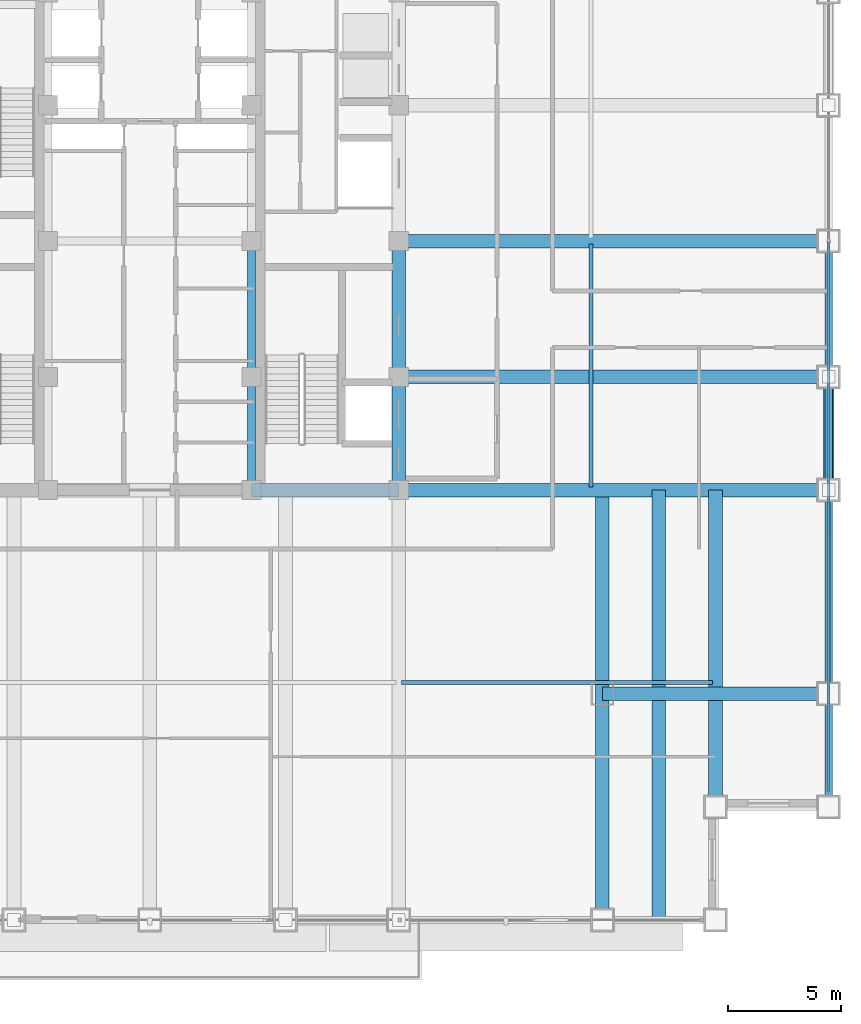
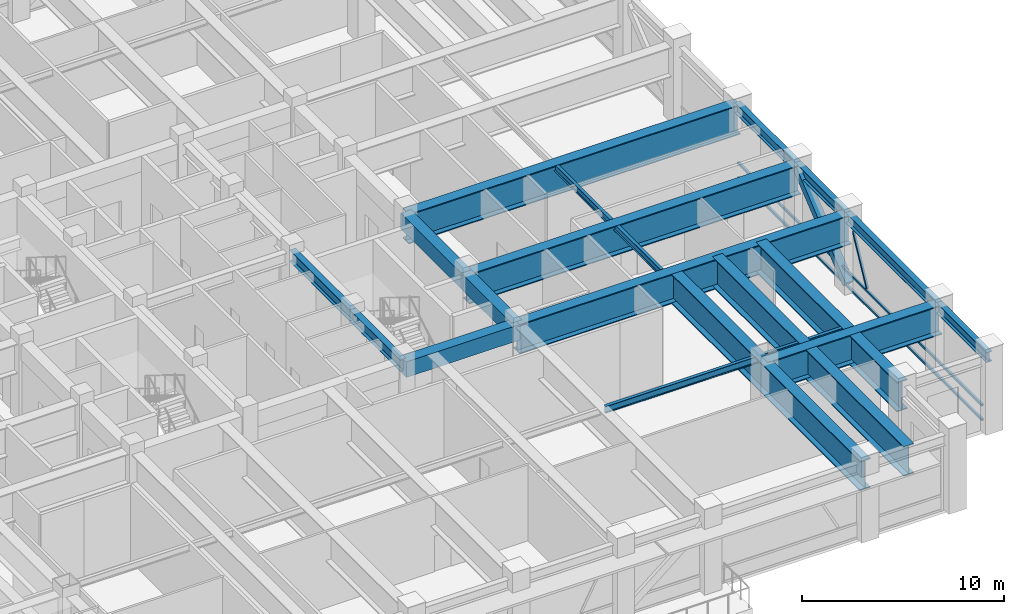
# One storey, part 11 of 33: 18 beams, 5 members, 1 element without a shape of its own.
"""IFC4 building model written with IfcOpenShell, lengths in metres."""

from ifc_helpers import new_model, si_unit, direction, frame, origin, origin_2d, place, context, subcontext, project, spatial, rectangle, hollow_rectangle, i_section, extrude, source, transform, mapped, material, material_profile, profile_set, type_object, element, aggregate, save


model = new_model("IFC4")

# Units and contexts
model_context = context("Model", 3, precision=1e-05, world=origin(), true_north=direction((0.0, 1.0)))
body_context = subcontext(model_context, "Body", "Model", "MODEL_VIEW")
ifc_project = project(units=[si_unit("LENGTHUNIT", "METRE"), si_unit("AREAUNIT", "SQUARE_METRE"), si_unit("VOLUMEUNIT", "CUBIC_METRE"), si_unit("PLANEANGLEUNIT", "RADIAN"), si_unit("MASSUNIT", "GRAM", prefix="KILO")], contexts=[model_context])

# Site, building, storey
site_placement = place(None, origin())
site = spatial("IfcSite", under=ifc_project, at=site_placement, CompositionType="ELEMENT")
building_placement = place(site_placement, origin())
building = spatial("IfcBuilding", under=site, at=building_placement, Name="Khorayat Bourse Tower", CompositionType="ELEMENT")
storey_placement = place(building_placement, frame((0.0, 0.0, 263.10009765625)))
storey = spatial("IfcBuildingStorey", under=building, at=storey_placement, Name="L62", CompositionType="ELEMENT", Elevation=263.10009765625)

# Beams
ifc_material_1 = material(Name="Steel ASTM A992 Grade 50", Category="steel")
ifc_material_profile_1 = material_profile(ifc_material_1, i_section(OverallWidth=0.35498046875, OverallDepth=0.695068359375, WebThickness=0.015380859375, FlangeThickness=0.02490234375, FilletRadius=0.01806640625, at=origin_2d()), Name="W690X217")
ifc_profile_set_1 = profile_set([ifc_material_profile_1], Name="Steel ASTM A992 Grade 50")
beam_type_1 = type_object("IfcBeamType", Name="BM-GIRD-690", PredefinedType="BEAM", material=ifc_profile_set_1)
shared_shape_1 = source(origin(), body_context, "Body", "SweptSolid", [
    extrude(i_section(OverallWidth=0.35498046875, OverallDepth=0.695068359375, WebThickness=0.015380859375, FlangeThickness=0.02490234375, FilletRadius=0.01806640625, at=origin_2d()), origin(), (0.0, 0.0, 1.0), 5.0),
])
beam_1_placement = place(storey_placement, frame((4.5, -11.0, 4.25244140625), z_axis=(0.0, 1.0, 0.0), x_axis=(-1.0, 0.0, 0.0)))
element("IfcBeam", 1, at=beam_1_placement, inside=storey, type_object=beam_type_1, Name="L62 BM-GIRD-690 BM-L62-CRX-09", PredefinedType="BEAM", context=body_context, shape_type="MappedRepresentation", body=[
    mapped(shared_shape_1, transform((0.0, 0.0, 0.0), scale=1.0)),
])
shared_shape_2 = source(origin(), body_context, "Body", "SweptSolid", [
    extrude(i_section(OverallWidth=0.35498046875, OverallDepth=0.695068359375, WebThickness=0.015380859375, FlangeThickness=0.02490234375, FilletRadius=0.01806640625, at=origin_2d()), origin(), (0.0, 0.0, 1.0), 6.0),
])
beam_2_placement = place(storey_placement, frame((4.5, -6.0, 4.25244140625), z_axis=(0.0, 1.0, 0.0), x_axis=(-1.0, 0.0, 0.0)))
element("IfcBeam", 2, at=beam_2_placement, inside=storey, type_object=beam_type_1, Name="L62 BM-GIRD-690 BM-L62-CRX-10", PredefinedType="BEAM", context=body_context, shape_type="MappedRepresentation", body=[
    mapped(shared_shape_2, transform((0.0, 0.0, 0.0), scale=1.0)),
])
ifc_material_2 = material(Name="Steel EN 10025-4 S460M", Category="steel")
ifc_material_profile_2 = material_profile(ifc_material_2, i_section(OverallWidth=0.60009765625, OverallDepth=1.800048828125, WebThickness=0.031982421875, FlangeThickness=0.06005859375, at=origin_2d()), Name="PG 1800x600x32x60")
ifc_profile_set_2 = profile_set([ifc_material_profile_2], Name="Steel EN 10025-4 S460M")
beam_type_2 = type_object("IfcBeamType", Name="BM-TR-1800", PredefinedType="BEAM", material=ifc_profile_set_2)
shared_shape_3 = source(origin(), body_context, "Body", "SweptSolid", [
    extrude(i_section(OverallWidth=0.60009765625, OverallDepth=1.800048828125, WebThickness=0.031982421875, FlangeThickness=0.06005859375, at=origin_2d()), origin(), (0.0, 0.0, 1.0), 14.0),
])
beam_3_placement = place(storey_placement, frame((25.0, -25.0, 3.699951171875), z_axis=(0.0, 1.0, 0.0), x_axis=(-1.0, 0.0, 0.0)))
element("IfcBeam", 3, at=beam_3_placement, inside=storey, type_object=beam_type_2, Name="L62 BM-TR-1800 BM-L62-CNRY-094", PredefinedType="BEAM", context=body_context, shape_type="MappedRepresentation", body=[
    mapped(shared_shape_3, transform((0.0, 0.0, 0.0), scale=1.0)),
])
shared_shape_4 = source(origin(), body_context, "Body", "SweptSolid", [
    extrude(i_section(OverallWidth=0.60009765625, OverallDepth=1.800048828125, WebThickness=0.031982421875, FlangeThickness=0.06005859375, at=origin_2d()), origin(), (0.0, 0.0, 1.0), 10.0),
])
beam_4_placement = place(storey_placement, frame((20.0, -20.0, 3.699951171875), z_axis=(1.0, 0.0, 0.0), x_axis=(0.0, 1.0, 0.0)))
element("IfcBeam", 4, at=beam_4_placement, inside=storey, type_object=beam_type_2, Name="L62 BM-TR-1800 BM-L62-CNRX-096", PredefinedType="BEAM", context=body_context, shape_type="MappedRepresentation", body=[
    mapped(shared_shape_4, transform((0.0, 0.0, 0.0), scale=1.0)),
])
ifc_material_profile_3 = material_profile(ifc_material_1, i_section(OverallWidth=0.180908203125, OverallDepth=0.4169921875, WebThickness=0.010986328125, FlangeThickness=0.018310546875, FilletRadius=0.011962890625, at=origin_2d()), Name="W410X85")
ifc_profile_set_3 = profile_set([ifc_material_profile_3], Name="Steel ASTM A992 Grade 50")
beam_type_3 = type_object("IfcBeamType", Name="BM-JOIST-410", PredefinedType="JOIST", material=ifc_profile_set_3)
shared_shape_5 = source(origin(), body_context, "Body", "SweptSolid", [
    extrude(i_section(OverallWidth=0.180908203125, OverallDepth=0.4169921875, WebThickness=0.010986328125, FlangeThickness=0.018310546875, FilletRadius=0.011962890625, at=origin_2d()), origin(), (0.0, 0.0, 1.0), 10.740234375),
])
beam_5_placement = place(storey_placement, frame((19.5, -10.8701171875, 4.391357421875), z_axis=(0.0, 1.0, 0.0), x_axis=(-1.0, 0.0, 0.0)))
element("IfcBeam", 5, at=beam_5_placement, inside=storey, type_object=beam_type_3, Name="L62 BM-JOIST-410 BM-L62-JSTY-112", PredefinedType="JOIST", context=body_context, shape_type="MappedRepresentation", body=[
    mapped(shared_shape_5, transform((0.0, 0.0, 0.0), scale=1.0)),
])
ifc_material_profile_4 = material_profile(ifc_material_1, i_section(OverallWidth=0.324951171875, OverallDepth=0.615966796875, WebThickness=0.013916015625, FlangeThickness=0.021484375, FilletRadius=0.01611328125, at=origin_2d()), Name="W610X174")
ifc_profile_set_4 = profile_set([ifc_material_profile_4], Name="Steel ASTM A992 Grade 50")
beam_type_4 = type_object("IfcBeamType", Name="BM-SPAN-610", PredefinedType="SPANDREL", material=ifc_profile_set_4)
shared_shape_6 = source(origin(), body_context, "Body", "SweptSolid", [
    extrude(i_section(OverallWidth=0.324951171875, OverallDepth=0.615966796875, WebThickness=0.013916015625, FlangeThickness=0.021484375, FilletRadius=0.01611328125, at=origin_2d()), origin(), (0.0, 0.0, 1.0), 9.0),
])
beam_6_placement = place(storey_placement, frame((30.0, -20.0, 4.2919921875), z_axis=(0.0, 1.0, 0.0), x_axis=(-1.0, 0.0, 0.0)))
element("IfcBeam", 6, at=beam_6_placement, inside=storey, type_object=beam_type_4, Name="L62 BM-SPAN-610 BM-L62-SPN-035", PredefinedType="SPANDREL", context=body_context, shape_type="MappedRepresentation", body=[
    mapped(shared_shape_6, transform((0.0, 0.0, 0.0), scale=1.0)),
])
shared_shape_7 = source(origin(), body_context, "Body", "SweptSolid", [
    extrude(i_section(OverallWidth=0.324951171875, OverallDepth=0.615966796875, WebThickness=0.013916015625, FlangeThickness=0.021484375, FilletRadius=0.01611328125, at=origin_2d()), origin(), (0.0, 0.0, 1.0), 5.0),
])
for number, where, z_axis, x_axis, name in (
    (7, (30.0, -25.0, 4.2919921875), (0.0, 1.0, 0.0), (-1.0, 0.0, 0.0), "L62 BM-SPAN-610 BM-L62-SPN-034"),
    (8, (30.0, -11.0, 4.2919921875), (0.0, 1.0, 0.0), (-1.0, 0.0, 0.0), "L62 BM-SPAN-610 BM-L62-SPN-036"),
):
    element("IfcBeam", number, at=place(storey_placement, frame(where, z_axis=z_axis, x_axis=x_axis)), inside=storey, type_object=beam_type_4, Name=name, PredefinedType="SPANDREL", context=body_context, shape_type="MappedRepresentation", body=[
        mapped(shared_shape_7, transform((0.0, 0.0, 0.0), scale=1.0)),
    ])
shared_shape_8 = source(origin(), body_context, "Body", "SweptSolid", [
    extrude(i_section(OverallWidth=0.324951171875, OverallDepth=0.615966796875, WebThickness=0.013916015625, FlangeThickness=0.021484375, FilletRadius=0.01611328125, at=origin_2d()), origin(), (0.0, 0.0, 1.0), 6.0),
])
beam_7_placement = place(storey_placement, frame((30.0, -6.0, 4.2919921875), z_axis=(0.0, 1.0, 0.0), x_axis=(-1.0, 0.0, 0.0)))
element("IfcBeam", 9, at=beam_7_placement, inside=storey, type_object=beam_type_4, Name="L62 BM-SPAN-610 BM-L62-SPN-037", PredefinedType="SPANDREL", context=body_context, shape_type="MappedRepresentation", body=[
    mapped(shared_shape_8, transform((0.0, 0.0, 0.0), scale=1.0)),
])
ifc_material_3 = material(Name="Concrete C60/75", Category="concrete")
ifc_material_profile_5 = material_profile(ifc_material_3, rectangle(XDim=0.60009765625, YDim=0.949951171875, at=origin_2d()), Name="RC 600x950")
ifc_profile_set_5 = profile_set([ifc_material_profile_5], Name="Concrete C60/75")
beam_type_5 = type_object("IfcBeamType", Name="BM-COUP-950", PredefinedType="BEAM", material=ifc_profile_set_5)
shared_shape_9 = source(origin(), body_context, "Body", "SweptSolid", [
    extrude(rectangle(XDim=0.60009765625, YDim=0.949951171875, at=origin_2d()), origin(), (0.0, 0.0, 1.0), 5.0),
])
beam_8_placement = place(storey_placement, frame((11.0, -11.0, 4.125), z_axis=(0.0, 1.0, 0.0), x_axis=(-1.0, 0.0, 0.0)))
element("IfcBeam", 10, at=beam_8_placement, inside=storey, type_object=beam_type_5, Name="L62 BM-COUP-950 BM-L62-CRX-13", PredefinedType="BEAM", context=body_context, shape_type="MappedRepresentation", body=[
    mapped(shared_shape_9, transform((0.0, 0.0, 0.0), scale=1.0)),
])
shared_shape_10 = source(origin(), body_context, "Body", "SweptSolid", [
    extrude(rectangle(XDim=0.60009765625, YDim=0.949951171875, at=origin_2d()), origin(), (0.0, 0.0, 1.0), 6.0),
])
beam_9_placement = place(storey_placement, frame((11.0, -6.0, 4.125), z_axis=(0.0, 1.0, 0.0), x_axis=(-1.0, 0.0, 0.0)))
element("IfcBeam", 11, at=beam_9_placement, inside=storey, type_object=beam_type_5, Name="L62 BM-COUP-950 BM-L62-CRX-14", PredefinedType="BEAM", context=body_context, shape_type="MappedRepresentation", body=[
    mapped(shared_shape_10, transform((0.0, 0.0, 0.0), scale=1.0)),
])
shared_shape_11 = source(origin(), body_context, "Body", "SweptSolid", [
    extrude(rectangle(XDim=0.60009765625, YDim=0.949951171875, at=origin_2d()), origin(), (0.0, 0.0, 1.0), 6.5),
])
beam_10_placement = place(storey_placement, frame((4.5, -11.0, 4.125), z_axis=(1.0, 0.0, 0.0), x_axis=(0.0, 1.0, 0.0)))
element("IfcBeam", 12, at=beam_10_placement, inside=storey, type_object=beam_type_5, Name="L62 BM-COUP-950 BM-L62-CRY-19", PredefinedType="BEAM", context=body_context, shape_type="MappedRepresentation", body=[
    mapped(shared_shape_11, transform((0.0, 0.0, 0.0), scale=1.0)),
])
shared_shape_12 = source(origin(), body_context, "Body", "SweptSolid", [
    extrude(i_section(OverallWidth=0.180908203125, OverallDepth=0.4169921875, WebThickness=0.010986328125, FlangeThickness=0.018310546875, FilletRadius=0.011962890625, at=origin_2d()), origin(), (0.0, 0.0, 1.0), 13.740234375),
])
beam_11_placement = place(storey_placement, frame((11.1298828125, -19.5, 4.391357421875), z_axis=(1.0, 0.0, 0.0), x_axis=(0.0, 1.0, 0.0)))
element("IfcBeam", 13, at=beam_11_placement, inside=storey, type_object=beam_type_3, Name="L62 BM-JOIST-410 BM-L62-JSTX-106", PredefinedType="JOIST", context=body_context, shape_type="MappedRepresentation", body=[
    mapped(shared_shape_12, transform((0.0, 0.0, 0.0), scale=1.0)),
])
shared_shape_13 = source(origin(), body_context, "Body", "SweptSolid", [
    extrude(i_section(OverallWidth=0.60009765625, OverallDepth=1.800048828125, WebThickness=0.031982421875, FlangeThickness=0.06005859375, at=origin_2d()), origin(), (0.0, 0.0, 1.0), 19.0),
])
for number, where, z_axis, x_axis, name in (
    (14, (11.0, -11.0, 3.699951171875), (1.0, 0.0, 0.0), (0.0, 1.0, 0.0), "L62 BM-TR-1800 BM-L62-RADX-074"),
    (15, (11.0, -6.0, 3.699951171875), (1.0, 0.0, 0.0), (0.0, 1.0, 0.0), "L62 BM-TR-1800 BM-L62-RADX-076"),
    (16, (11.0, 0.0, 3.699951171875), (1.0, 0.0, 0.0), (0.0, 1.0, 0.0), "L62 BM-TR-1800 BM-L62-RADX-078"),
    (17, (20.0, -30.0, 3.699951171875), (0.0, 1.0, 0.0), (-1.0, 0.0, 0.0), "L62 BM-TR-1800 BM-L62-CNRY-086"),
    (18, (22.5, -30.0, 3.699951171875), (0.0, 1.0, 0.0), (-1.0, 0.0, 0.0), "L62 BM-TR-1800 BM-L62-CNRY-090"),
):
    element("IfcBeam", number, at=place(storey_placement, frame(where, z_axis=z_axis, x_axis=x_axis)), inside=storey, type_object=beam_type_2, Name=name, PredefinedType="BEAM", context=body_context, shape_type="MappedRepresentation", body=[
        mapped(shared_shape_13, transform((0.0, 0.0, 0.0), scale=1.0)),
    ])

# Member
ifc_material_profile_6 = material_profile(ifc_material_2, hollow_rectangle(XDim=0.449951171875, YDim=0.449951171875, WallThickness=0.02490234375, at=origin_2d()), Name="HSS 450x450x25")
ifc_profile_set_6 = profile_set([ifc_material_profile_6], Name="Steel EN 10025-4 S460M")
member_type_1 = type_object("IfcMemberType", Name="MBR-TUBE-450", PredefinedType="BRACE", material=ifc_profile_set_6)
shared_shape_14 = source(origin(), body_context, "Body", "SweptSolid", [
    extrude(hollow_rectangle(XDim=0.449951171875, YDim=0.449951171875, WallThickness=0.02490234375, at=origin_2d()), origin(), (0.0, 0.0, 1.0), 6.466064453125),
])
member_1_placement = place(storey_placement, frame((30.0, -11.0, 0.25), z_axis=(0.0, 0.773278898257, 0.634066041916), x_axis=(-1.0, 0.0, 0.0)))
element("IfcMember", 19, at=member_1_placement, inside=storey, type_object=member_type_1, Name="L62 Perimeter Tube Brace 07", PredefinedType="BRACE", context=body_context, shape_type="MappedRepresentation", body=[
    mapped(shared_shape_14, transform((0.0, 0.0, 0.0), scale=1.0)),
])

# Curtain wall, members
ifc_material_4 = material(Name="Aluminium EN AW-6063 T6", Category="aluminium")
curtain_wall_type = type_object("IfcCurtainWallType", Name="CW-SYS-05", PredefinedType="NOTDEFINED", material=ifc_material_4)
curtain_wall_placement = place(storey_placement, origin())
curtain_wall = element("IfcCurtainWall", 20, at=curtain_wall_placement, inside=storey, type_object=curtain_wall_type, Name="L62 Curtain Wall CW-L62-E1", PredefinedType="NOTDEFINED")
ifc_material_profile_7 = material_profile(ifc_material_4, hollow_rectangle(XDim=0.1201171875, YDim=0.1201171875, WallThickness=0.0048828125, at=origin_2d()), Name="ALU 120x120x5")
ifc_profile_set_7 = profile_set([ifc_material_profile_7], Name="Aluminium EN AW-6063 T6")
member_type_2 = type_object("IfcMemberType", Name="CWM-DIAG-120", PredefinedType="MULLION", material=ifc_profile_set_7)
shared_shape_15 = source(origin(), body_context, "Body", "SweptSolid", [
    extrude(hollow_rectangle(XDim=0.1201171875, YDim=0.1201171875, WallThickness=0.0048828125, at=origin_2d()), origin(), (0.0, 0.0, 1.0), 3.006103515625),
])
member_2_placement = place(storey_placement, frame((30.0, -12.889892578125, 1.08984375), z_axis=(0.0, 0.465699569312, 0.884942885808), x_axis=(-1.0, 0.0, 0.0)))
member_2 = element("IfcMember", 21, at=member_2_placement, type_object=member_type_2, Name="CW-L62-E1 Faceted Diagonal Mullion 1", PredefinedType="MULLION", context=body_context, shape_type="MappedRepresentation", body=[
    mapped(shared_shape_15, transform((0.0, 0.0, 0.0), scale=1.0)),
])
ifc_material_profile_8 = material_profile(ifc_material_4, hollow_rectangle(XDim=0.1201171875, YDim=0.1201171875, WallThickness=0.0048828125, at=origin_2d()), Name="ALU 120x120x5")
ifc_profile_set_8 = profile_set([ifc_material_profile_8], Name="Aluminium EN AW-6063 T6")
member_type_3 = type_object("IfcMemberType", Name="CWT-HORZ-120", PredefinedType="USERDEFINED", material=ifc_profile_set_8)
shared_shape_16 = source(origin(), body_context, "Body", "SweptSolid", [
    extrude(hollow_rectangle(XDim=0.1201171875, YDim=0.1201171875, WallThickness=0.0048828125, at=origin_2d()), origin(), (0.0, 0.0, 1.0), 24.239990234375),
])
member_3_placement = place(storey_placement, frame((30.0, -24.31005859375, 0.059814453125), z_axis=(0.0, 1.0, 0.0), x_axis=(-1.0, 0.0, 0.0)))
member_3 = element("IfcMember", 22, at=member_3_placement, type_object=member_type_3, Name="CW-L62-E1 Horizontal Transom 1-1", ObjectType="TRANSOM", PredefinedType="USERDEFINED", context=body_context, shape_type="MappedRepresentation", body=[
    mapped(shared_shape_16, transform((0.0, 0.0, 0.0), scale=1.0)),
])
member_4_placement = place(storey_placement, frame((30.0, -24.31005859375, 0.949951171875), z_axis=(0.0, 1.0, 0.0), x_axis=(-1.0, 0.0, 0.0)))
member_4 = element("IfcMember", 23, at=member_4_placement, type_object=member_type_3, Name="CW-L62-E1 Horizontal Transom 1-2", ObjectType="TRANSOM", PredefinedType="USERDEFINED", context=body_context, shape_type="MappedRepresentation", body=[
    mapped(shared_shape_16, transform((0.0, 0.0, 0.0), scale=1.0)),
])
member_5_placement = place(storey_placement, frame((30.0, -24.31005859375, 3.889892578125), z_axis=(0.0, 1.0, 0.0), x_axis=(-1.0, 0.0, 0.0)))
member_5 = element("IfcMember", 24, at=member_5_placement, type_object=member_type_3, Name="CW-L62-E1 Horizontal Transom 1-3", ObjectType="TRANSOM", PredefinedType="USERDEFINED", context=body_context, shape_type="MappedRepresentation", body=[
    mapped(shared_shape_16, transform((0.0, 0.0, 0.0), scale=1.0)),
])
aggregate(curtain_wall, [member_3, member_4, member_5, member_2])

save(model, "model.ifc")
